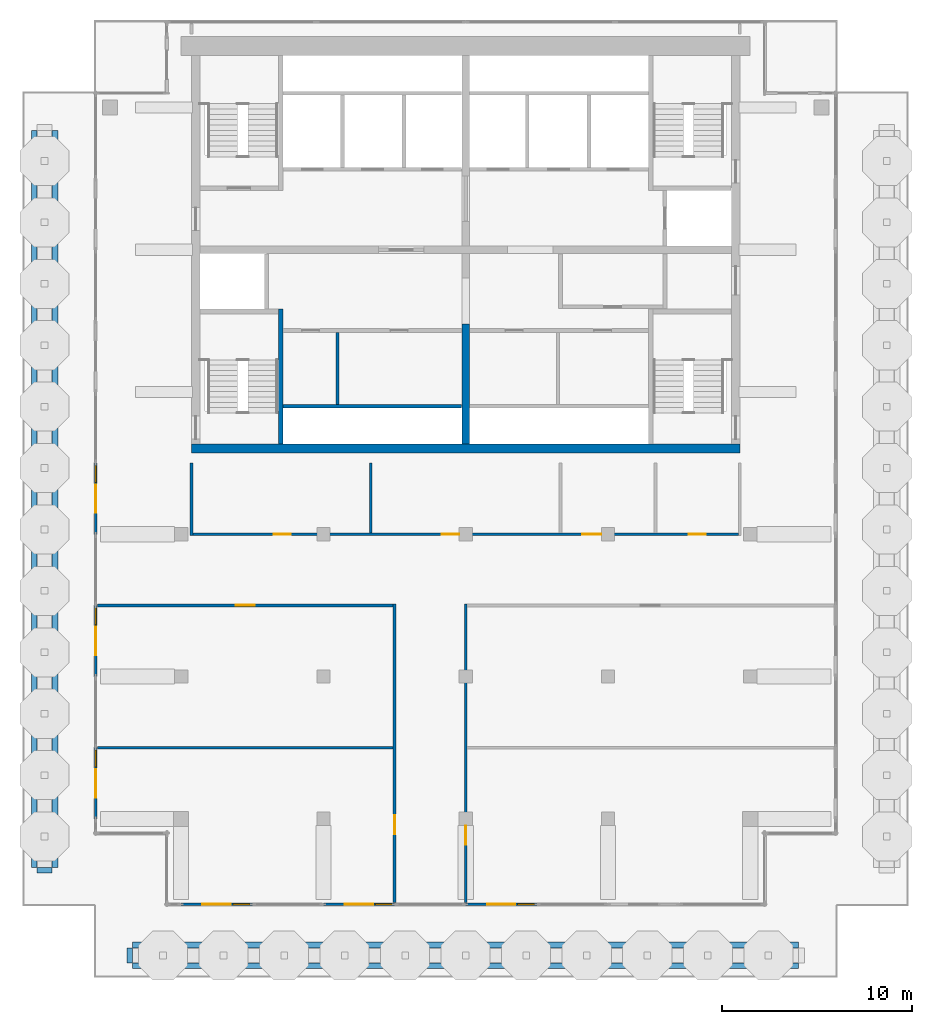
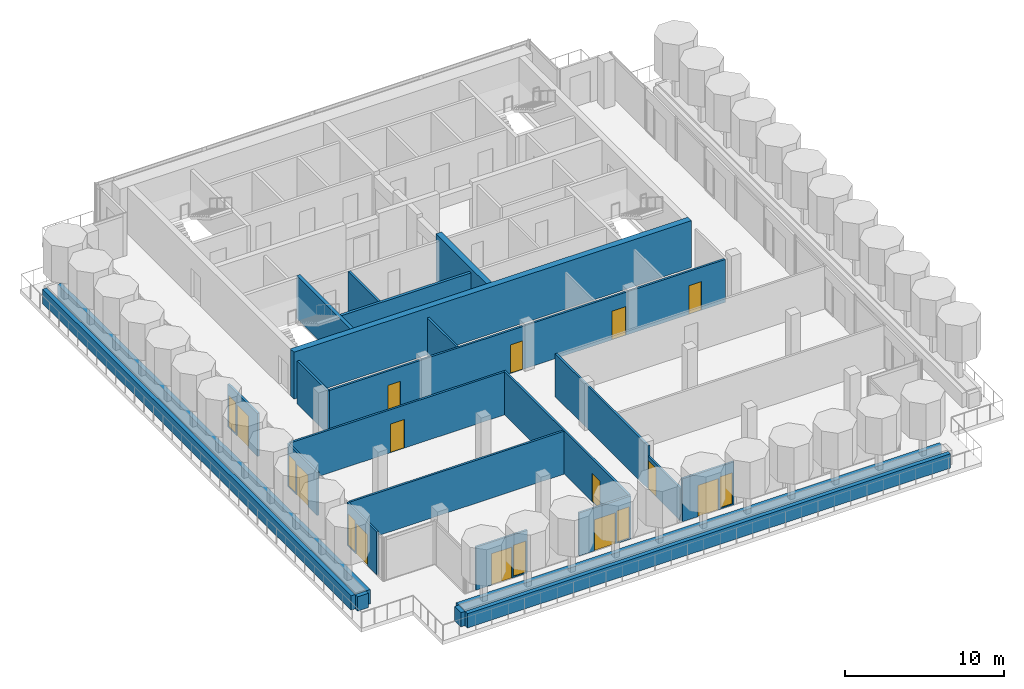
# One storey, part 8 of 15: 25 walls, 13 doors, 6 windows, 19 openings.
"""IFC4 building model written with IfcOpenShell, lengths in metres."""

from ifc_helpers import new_model, si_unit, direction, frame, frame_2d, origin, place, context, subcontext, project, spatial, rectangle, extrude, material, layer, layer_set, type_object, element, fill, save


model = new_model("IFC4")

# Units and contexts
model_context = context("Model", 3, precision=1e-05, world=origin(), true_north=direction((0.0, 1.0)))
body_context = subcontext(model_context, "Body", "Model", "MODEL_VIEW")
ifc_project = project(units=[si_unit("LENGTHUNIT", "METRE"), si_unit("AREAUNIT", "SQUARE_METRE"), si_unit("VOLUMEUNIT", "CUBIC_METRE"), si_unit("PLANEANGLEUNIT", "RADIAN"), si_unit("MASSUNIT", "GRAM", prefix="KILO")], contexts=[model_context])

# Site, building, storey
site_placement = place(None, origin())
site = spatial("IfcSite", under=ifc_project, at=site_placement, CompositionType="ELEMENT")
building_placement = place(site_placement, origin())
building = spatial("IfcBuilding", under=site, at=building_placement, Name="Pilkhan Gate Tower", CompositionType="ELEMENT")
storey_placement = place(building_placement, frame((0.0, 0.0, 265.699951171875)))
storey = spatial("IfcBuildingStorey", under=building, at=storey_placement, Name="L69", CompositionType="ELEMENT", Elevation=265.699951171875)

# Wall
ifc_material_1 = material(Name="Concrete C50/60", Category="concrete")
ifc_layer_1 = layer(ifc_material_1, 0.449951171875)
ifc_layer_set_1 = layer_set([ifc_layer_1], Name="Core wall CW450 C50/60")
wall_type_1 = type_object("IfcWallType", Name="Core wall CW450 C50/60", PredefinedType="SHEAR", material=ifc_layer_set_1)
wall_1_placement = place(storey_placement, frame((60.550048828125, 72.02490234375, 0.0), z_axis=(0.0, 0.0, 1.0), x_axis=(1.0, 0.0, 0.0)))
element("IfcWall", 1, at=wall_1_placement, inside=storey, type_object=wall_type_1, Name="Core wall S L69", PredefinedType="SHEAR", context=body_context, shape_type="SweptSolid", body=[
    extrude(rectangle(XDim=28.89990234375, YDim=0.449951171875, at=frame_2d((14.449951171875, 0.0))), origin(), (0.0, 0.0, 1.0), 3.60009765625),
])

# Wall, openings, door, window
ifc_material_2 = material(Name="Pale anodised aluminium, clear laminated glazing", Category="aluminium")
ifc_layer_2 = layer(ifc_material_2, 0.14990234375)
ifc_layer_set_2 = layer_set([ifc_layer_2], Name="Facade infill wall IW150")
wall_type_2 = type_object("IfcWallType", Name="Facade infill wall IW150", PredefinedType="SOLIDWALL", material=ifc_layer_set_2)
wall_2_placement = place(storey_placement, frame((55.5, 52.5, 0.0), z_axis=(0.0, 0.0, 1.0), x_axis=(0.0, 1.0, 0.0)))
wall_2 = element("IfcWall", 2, at=wall_2_placement, inside=storey, type_object=wall_type_2, Name="Infill wall L69 W", PredefinedType="SOLIDWALL", context=body_context, shape_type="SweptSolid", body=[
    extrude(rectangle(XDim=3.75, YDim=0.14990234375, at=frame_2d((1.875, 0.0))), origin(), (0.0, 0.0, 1.0), 3.300048828125),
])
opening_1_placement = place(wall_2_placement, frame((1.125, 0.0, 0.0)))
opening_1 = element("IfcOpeningElement", 3, at=opening_1_placement, cuts=wall_2, Name="Opening D5", PredefinedType="OPENING", context=body_context, shape_type="SweptSolid", body=[
    extrude(rectangle(XDim=1.5, YDim=2.39990234375, at=frame_2d((0.75, 1.199951171875))), frame((0.0, 0.0849609375, 0.0), z_axis=(0.0, -1.0, 0.0), x_axis=(1.0, 0.0, 0.0)), (0.0, 0.0, 1.0), 0.169921875),
])
opening_2_placement = place(wall_2_placement, frame((2.737548828125, 0.0, 0.10009765625)))
opening_2 = element("IfcOpeningElement", 4, at=opening_2_placement, cuts=wall_2, Name="Opening W1", PredefinedType="OPENING", context=body_context, shape_type="SweptSolid", body=[
    extrude(rectangle(XDim=0.89990234375, YDim=2.39990234375, at=frame_2d((0.449951171875, 1.199951171875))), frame((0.0, 0.0849609375, 0.0), z_axis=(0.0, -1.0, 0.0), x_axis=(1.0, 0.0, 0.0)), (0.0, 0.0, 1.0), 0.169921875),
])
ifc_material_3 = material(Name="Pale anodised aluminium, clear glazing", Category="aluminium")
door_type_1 = type_object("IfcDoorType", Name="Terrace door D5 1500x2400", OperationType="DOUBLE_DOOR_SINGLE_SWING", PredefinedType="DOOR", material=ifc_material_3)
door_1_placement = place(opening_1_placement, origin())
door_1 = element("IfcDoor", 5, at=door_1_placement, inside=storey, type_object=door_type_1, Name="Terrace door L69", OperationType="DOUBLE_DOOR_SINGLE_SWING", OverallHeight=2.39990234375, OverallWidth=1.5, PredefinedType="DOOR", context=body_context, shape_type="SweptSolid", body=[
    extrude(rectangle(XDim=1.5, YDim=2.39990234375, at=frame_2d((0.75, 1.199951171875))), frame((0.0, 0.02490234375, 0.0), z_axis=(0.0, -1.0, 0.0), x_axis=(1.0, 0.0, 0.0)), (0.0, 0.0, 1.0), 0.050048828125),
])
fill(opening_1, door_1)
ifc_material_4 = material(Name="Pale anodised aluminium, clear double glazing", Category="aluminium")
window_type = type_object("IfcWindowType", Name="Window W1 900x2400", PartitioningType="SINGLE_PANEL", PredefinedType="WINDOW", material=ifc_material_4)
window_1_placement = place(opening_2_placement, origin())
window_1 = element("IfcWindow", 6, at=window_1_placement, inside=storey, type_object=window_type, Name="Window L69", OverallHeight=2.39990234375, OverallWidth=0.89990234375, PartitioningType="SINGLE_PANEL", PredefinedType="WINDOW", context=body_context, shape_type="SweptSolid", body=[
    extrude(rectangle(XDim=0.89990234375, YDim=2.39990234375, at=frame_2d((0.449951171875, 1.199951171875))), frame((0.0, 0.030029296875, 0.0), z_axis=(0.0, -1.0, 0.0), x_axis=(1.0, 0.0, 0.0)), (0.0, 0.0, 1.0), 0.06005859375),
])
fill(opening_2, window_1)

wall_3_placement = place(storey_placement, frame((55.5, 60.0, 0.0), z_axis=(0.0, 0.0, 1.0), x_axis=(0.0, 1.0, 0.0)))
wall_3 = element("IfcWall", 7, at=wall_3_placement, inside=storey, type_object=wall_type_2, Name="Infill wall L69 W", PredefinedType="SOLIDWALL", context=body_context, shape_type="SweptSolid", body=[
    extrude(rectangle(XDim=3.75, YDim=0.14990234375, at=frame_2d((1.875, 0.0))), origin(), (0.0, 0.0, 1.0), 3.300048828125),
])
opening_3_placement = place(wall_3_placement, frame((1.125, 0.0, 0.0)))
opening_3 = element("IfcOpeningElement", 8, at=opening_3_placement, cuts=wall_3, Name="Opening D5", PredefinedType="OPENING", context=body_context, shape_type="SweptSolid", body=[
    extrude(rectangle(XDim=1.5, YDim=2.39990234375, at=frame_2d((0.75, 1.199951171875))), frame((0.0, 0.0849609375, 0.0), z_axis=(0.0, -1.0, 0.0), x_axis=(1.0, 0.0, 0.0)), (0.0, 0.0, 1.0), 0.169921875),
])
opening_4_placement = place(wall_3_placement, frame((2.737548828125, 0.0, 0.10009765625)))
opening_4 = element("IfcOpeningElement", 9, at=opening_4_placement, cuts=wall_3, Name="Opening W1", PredefinedType="OPENING", context=body_context, shape_type="SweptSolid", body=[
    extrude(rectangle(XDim=0.89990234375, YDim=2.39990234375, at=frame_2d((0.449951171875, 1.199951171875))), frame((0.0, 0.0849609375, 0.0), z_axis=(0.0, -1.0, 0.0), x_axis=(1.0, 0.0, 0.0)), (0.0, 0.0, 1.0), 0.169921875),
])
door_2_placement = place(opening_3_placement, origin())
door_2 = element("IfcDoor", 10, at=door_2_placement, inside=storey, type_object=door_type_1, Name="Terrace door L69", OperationType="DOUBLE_DOOR_SINGLE_SWING", OverallHeight=2.39990234375, OverallWidth=1.5, PredefinedType="DOOR", context=body_context, shape_type="SweptSolid", body=[
    extrude(rectangle(XDim=1.5, YDim=2.39990234375, at=frame_2d((0.75, 1.199951171875))), frame((0.0, 0.02490234375, 0.0), z_axis=(0.0, -1.0, 0.0), x_axis=(1.0, 0.0, 0.0)), (0.0, 0.0, 1.0), 0.050048828125),
])
fill(opening_3, door_2)
window_2_placement = place(opening_4_placement, origin())
window_2 = element("IfcWindow", 11, at=window_2_placement, inside=storey, type_object=window_type, Name="Window L69", OverallHeight=2.39990234375, OverallWidth=0.89990234375, PartitioningType="SINGLE_PANEL", PredefinedType="WINDOW", context=body_context, shape_type="SweptSolid", body=[
    extrude(rectangle(XDim=0.89990234375, YDim=2.39990234375, at=frame_2d((0.449951171875, 1.199951171875))), frame((0.0, 0.030029296875, 0.0), z_axis=(0.0, -1.0, 0.0), x_axis=(1.0, 0.0, 0.0)), (0.0, 0.0, 1.0), 0.06005859375),
])
fill(opening_4, window_2)

wall_4_placement = place(storey_placement, frame((55.5, 67.5, 0.0), z_axis=(0.0, 0.0, 1.0), x_axis=(0.0, 1.0, 0.0)))
wall_4 = element("IfcWall", 12, at=wall_4_placement, inside=storey, type_object=wall_type_2, Name="Infill wall L69 W", PredefinedType="SOLIDWALL", context=body_context, shape_type="SweptSolid", body=[
    extrude(rectangle(XDim=3.75, YDim=0.14990234375, at=frame_2d((1.875, 0.0))), origin(), (0.0, 0.0, 1.0), 3.300048828125),
])
opening_5_placement = place(wall_4_placement, frame((1.125, 0.0, 0.0)))
opening_5 = element("IfcOpeningElement", 13, at=opening_5_placement, cuts=wall_4, Name="Opening D5", PredefinedType="OPENING", context=body_context, shape_type="SweptSolid", body=[
    extrude(rectangle(XDim=1.5, YDim=2.39990234375, at=frame_2d((0.75, 1.199951171875))), frame((0.0, 0.0849609375, 0.0), z_axis=(0.0, -1.0, 0.0), x_axis=(1.0, 0.0, 0.0)), (0.0, 0.0, 1.0), 0.169921875),
])
opening_6_placement = place(wall_4_placement, frame((2.737548828125, 0.0, 0.10009765625)))
opening_6 = element("IfcOpeningElement", 14, at=opening_6_placement, cuts=wall_4, Name="Opening W1", PredefinedType="OPENING", context=body_context, shape_type="SweptSolid", body=[
    extrude(rectangle(XDim=0.89990234375, YDim=2.39990234375, at=frame_2d((0.449951171875, 1.199951171875))), frame((0.0, 0.0849609375, 0.0), z_axis=(0.0, -1.0, 0.0), x_axis=(1.0, 0.0, 0.0)), (0.0, 0.0, 1.0), 0.169921875),
])
door_3_placement = place(opening_5_placement, origin())
door_3 = element("IfcDoor", 15, at=door_3_placement, inside=storey, type_object=door_type_1, Name="Terrace door L69", OperationType="DOUBLE_DOOR_SINGLE_SWING", OverallHeight=2.39990234375, OverallWidth=1.5, PredefinedType="DOOR", context=body_context, shape_type="SweptSolid", body=[
    extrude(rectangle(XDim=1.5, YDim=2.39990234375, at=frame_2d((0.75, 1.199951171875))), frame((0.0, 0.02490234375, 0.0), z_axis=(0.0, -1.0, 0.0), x_axis=(1.0, 0.0, 0.0)), (0.0, 0.0, 1.0), 0.050048828125),
])
fill(opening_5, door_3)
window_3_placement = place(opening_6_placement, origin())
window_3 = element("IfcWindow", 16, at=window_3_placement, inside=storey, type_object=window_type, Name="Window L69", OverallHeight=2.39990234375, OverallWidth=0.89990234375, PartitioningType="SINGLE_PANEL", PredefinedType="WINDOW", context=body_context, shape_type="SweptSolid", body=[
    extrude(rectangle(XDim=0.89990234375, YDim=2.39990234375, at=frame_2d((0.449951171875, 1.199951171875))), frame((0.0, 0.030029296875, 0.0), z_axis=(0.0, -1.0, 0.0), x_axis=(1.0, 0.0, 0.0)), (0.0, 0.0, 1.0), 0.06005859375),
])
fill(opening_6, window_3)

wall_5_placement = place(storey_placement, frame((63.75, 48.0, 0.0), z_axis=(0.0, 0.0, 1.0), x_axis=(-1.0, 0.0, 0.0)))
wall_5 = element("IfcWall", 17, at=wall_5_placement, inside=storey, type_object=wall_type_2, Name="Infill wall L69 S", PredefinedType="SOLIDWALL", context=body_context, shape_type="SweptSolid", body=[
    extrude(rectangle(XDim=3.75, YDim=0.14990234375, at=frame_2d((1.875, 0.0))), origin(), (0.0, 0.0, 1.0), 3.300048828125),
])
opening_7_placement = place(wall_5_placement, frame((0.112548828125, 0.0, 0.10009765625)))
opening_7 = element("IfcOpeningElement", 18, at=opening_7_placement, cuts=wall_5, Name="Opening W1", PredefinedType="OPENING", context=body_context, shape_type="SweptSolid", body=[
    extrude(rectangle(XDim=0.89990234375, YDim=2.39990234375, at=frame_2d((0.449951171875, 1.199951171875))), frame((0.0, 0.0849609375, 0.0), z_axis=(0.0, -1.0, 0.0), x_axis=(1.0, 0.0, 0.0)), (0.0, 0.0, 1.0), 0.169921875),
])
opening_8_placement = place(wall_5_placement, frame((1.125, 0.0, 0.0)))
opening_8 = element("IfcOpeningElement", 19, at=opening_8_placement, cuts=wall_5, Name="Opening D5", PredefinedType="OPENING", context=body_context, shape_type="SweptSolid", body=[
    extrude(rectangle(XDim=1.5, YDim=2.39990234375, at=frame_2d((0.75, 1.199951171875))), frame((0.0, 0.0849609375, 0.0), z_axis=(0.0, -1.0, 0.0), x_axis=(1.0, 0.0, 0.0)), (0.0, 0.0, 1.0), 0.169921875),
])
door_4_placement = place(opening_8_placement, origin())
door_4 = element("IfcDoor", 20, at=door_4_placement, inside=storey, type_object=door_type_1, Name="Terrace door L69", OperationType="DOUBLE_DOOR_SINGLE_SWING", OverallHeight=2.39990234375, OverallWidth=1.5, PredefinedType="DOOR", context=body_context, shape_type="SweptSolid", body=[
    extrude(rectangle(XDim=1.5, YDim=2.39990234375, at=frame_2d((0.75, 1.199951171875))), frame((0.0, 0.02490234375, 0.0), z_axis=(0.0, -1.0, 0.0), x_axis=(1.0, 0.0, 0.0)), (0.0, 0.0, 1.0), 0.050048828125),
])
fill(opening_8, door_4)
window_4_placement = place(opening_7_placement, origin())
window_4 = element("IfcWindow", 21, at=window_4_placement, inside=storey, type_object=window_type, Name="Window L69", OverallHeight=2.39990234375, OverallWidth=0.89990234375, PartitioningType="SINGLE_PANEL", PredefinedType="WINDOW", context=body_context, shape_type="SweptSolid", body=[
    extrude(rectangle(XDim=0.89990234375, YDim=2.39990234375, at=frame_2d((0.449951171875, 1.199951171875))), frame((0.0, 0.030029296875, 0.0), z_axis=(0.0, -1.0, 0.0), x_axis=(1.0, 0.0, 0.0)), (0.0, 0.0, 1.0), 0.06005859375),
])
fill(opening_7, window_4)

wall_6_placement = place(storey_placement, frame((71.25, 48.0, 0.0), z_axis=(0.0, 0.0, 1.0), x_axis=(-1.0, 0.0, 0.0)))
wall_6 = element("IfcWall", 22, at=wall_6_placement, inside=storey, type_object=wall_type_2, Name="Infill wall L69 S", PredefinedType="SOLIDWALL", context=body_context, shape_type="SweptSolid", body=[
    extrude(rectangle(XDim=3.75, YDim=0.14990234375, at=frame_2d((1.875, 0.0))), origin(), (0.0, 0.0, 1.0), 3.300048828125),
])
opening_9_placement = place(wall_6_placement, frame((0.112548828125, 0.0, 0.10009765625)))
opening_9 = element("IfcOpeningElement", 23, at=opening_9_placement, cuts=wall_6, Name="Opening W1", PredefinedType="OPENING", context=body_context, shape_type="SweptSolid", body=[
    extrude(rectangle(XDim=0.89990234375, YDim=2.39990234375, at=frame_2d((0.449951171875, 1.199951171875))), frame((0.0, 0.0849609375, 0.0), z_axis=(0.0, -1.0, 0.0), x_axis=(1.0, 0.0, 0.0)), (0.0, 0.0, 1.0), 0.169921875),
])
opening_10_placement = place(wall_6_placement, frame((1.125, 0.0, 0.0)))
opening_10 = element("IfcOpeningElement", 24, at=opening_10_placement, cuts=wall_6, Name="Opening D5", PredefinedType="OPENING", context=body_context, shape_type="SweptSolid", body=[
    extrude(rectangle(XDim=1.5, YDim=2.39990234375, at=frame_2d((0.75, 1.199951171875))), frame((0.0, 0.0849609375, 0.0), z_axis=(0.0, -1.0, 0.0), x_axis=(1.0, 0.0, 0.0)), (0.0, 0.0, 1.0), 0.169921875),
])
door_5_placement = place(opening_10_placement, origin())
door_5 = element("IfcDoor", 25, at=door_5_placement, inside=storey, type_object=door_type_1, Name="Terrace door L69", OperationType="DOUBLE_DOOR_SINGLE_SWING", OverallHeight=2.39990234375, OverallWidth=1.5, PredefinedType="DOOR", context=body_context, shape_type="SweptSolid", body=[
    extrude(rectangle(XDim=1.5, YDim=2.39990234375, at=frame_2d((0.75, 1.199951171875))), frame((0.0, 0.02490234375, 0.0), z_axis=(0.0, -1.0, 0.0), x_axis=(1.0, 0.0, 0.0)), (0.0, 0.0, 1.0), 0.050048828125),
])
fill(opening_10, door_5)
window_5_placement = place(opening_9_placement, origin())
window_5 = element("IfcWindow", 26, at=window_5_placement, inside=storey, type_object=window_type, Name="Window L69", OverallHeight=2.39990234375, OverallWidth=0.89990234375, PartitioningType="SINGLE_PANEL", PredefinedType="WINDOW", context=body_context, shape_type="SweptSolid", body=[
    extrude(rectangle(XDim=0.89990234375, YDim=2.39990234375, at=frame_2d((0.449951171875, 1.199951171875))), frame((0.0, 0.030029296875, 0.0), z_axis=(0.0, -1.0, 0.0), x_axis=(1.0, 0.0, 0.0)), (0.0, 0.0, 1.0), 0.06005859375),
])
fill(opening_9, window_5)

wall_7_placement = place(storey_placement, frame((78.75, 48.0, 0.0), z_axis=(0.0, 0.0, 1.0), x_axis=(-1.0, 0.0, 0.0)))
wall_7 = element("IfcWall", 27, at=wall_7_placement, inside=storey, type_object=wall_type_2, Name="Infill wall L69 S", PredefinedType="SOLIDWALL", context=body_context, shape_type="SweptSolid", body=[
    extrude(rectangle(XDim=3.75, YDim=0.14990234375, at=frame_2d((1.875, 0.0))), origin(), (0.0, 0.0, 1.0), 3.300048828125),
])
opening_11_placement = place(wall_7_placement, frame((0.112548828125, 0.0, 0.10009765625)))
opening_11 = element("IfcOpeningElement", 28, at=opening_11_placement, cuts=wall_7, Name="Opening W1", PredefinedType="OPENING", context=body_context, shape_type="SweptSolid", body=[
    extrude(rectangle(XDim=0.89990234375, YDim=2.39990234375, at=frame_2d((0.449951171875, 1.199951171875))), frame((0.0, 0.0849609375, 0.0), z_axis=(0.0, -1.0, 0.0), x_axis=(1.0, 0.0, 0.0)), (0.0, 0.0, 1.0), 0.169921875),
])
opening_12_placement = place(wall_7_placement, frame((1.125, 0.0, 0.0)))
opening_12 = element("IfcOpeningElement", 29, at=opening_12_placement, cuts=wall_7, Name="Opening D5", PredefinedType="OPENING", context=body_context, shape_type="SweptSolid", body=[
    extrude(rectangle(XDim=1.5, YDim=2.39990234375, at=frame_2d((0.75, 1.199951171875))), frame((0.0, 0.0849609375, 0.0), z_axis=(0.0, -1.0, 0.0), x_axis=(1.0, 0.0, 0.0)), (0.0, 0.0, 1.0), 0.169921875),
])
door_6_placement = place(opening_12_placement, origin())
door_6 = element("IfcDoor", 30, at=door_6_placement, inside=storey, type_object=door_type_1, Name="Terrace door L69", OperationType="DOUBLE_DOOR_SINGLE_SWING", OverallHeight=2.39990234375, OverallWidth=1.5, PredefinedType="DOOR", context=body_context, shape_type="SweptSolid", body=[
    extrude(rectangle(XDim=1.5, YDim=2.39990234375, at=frame_2d((0.75, 1.199951171875))), frame((0.0, 0.02490234375, 0.0), z_axis=(0.0, -1.0, 0.0), x_axis=(1.0, 0.0, 0.0)), (0.0, 0.0, 1.0), 0.050048828125),
])
fill(opening_12, door_6)
window_6_placement = place(opening_11_placement, origin())
window_6 = element("IfcWindow", 31, at=window_6_placement, inside=storey, type_object=window_type, Name="Window L69", OverallHeight=2.39990234375, OverallWidth=0.89990234375, PartitioningType="SINGLE_PANEL", PredefinedType="WINDOW", context=body_context, shape_type="SweptSolid", body=[
    extrude(rectangle(XDim=0.89990234375, YDim=2.39990234375, at=frame_2d((0.449951171875, 1.199951171875))), frame((0.0, 0.030029296875, 0.0), z_axis=(0.0, -1.0, 0.0), x_axis=(1.0, 0.0, 0.0)), (0.0, 0.0, 1.0), 0.06005859375),
])
fill(opening_11, window_6)

# Walls
ifc_material_5 = material(Name="Dense blockwork", Category="masonry")
ifc_layer_3 = layer(ifc_material_5, 0.199951171875)
ifc_layer_set_3 = layer_set([ifc_layer_3], Name="Lobby wall LW200")
wall_type_3 = type_object("IfcWallType", Name="Lobby wall LW200", PredefinedType="PARTITIONING", material=ifc_layer_set_3)
wall_8_placement = place(storey_placement, frame((65.375, 74.25, 0.0), z_axis=(0.0, 0.0, 1.0), x_axis=(1.0, 0.0, 0.0)))
element("IfcWall", 32, at=wall_8_placement, inside=storey, type_object=wall_type_3, Name="Partition L69", PredefinedType="PARTITIONING", context=body_context, shape_type="SweptSolid", body=[
    extrude(rectangle(XDim=9.4150390625, YDim=0.199951171875, at=frame_2d((4.70751953125, 0.0))), origin(), (0.0, 0.0, 1.0), 3.300048828125),
])
ifc_material_6 = material(Name="Blockwork partition, plastered both sides", Category="masonry")
ifc_layer_4 = layer(ifc_material_6, 0.14990234375)
ifc_layer_set_4 = layer_set([ifc_layer_4], Name="Partition PW150")
wall_type_4 = type_object("IfcWallType", Name="Partition PW150", PredefinedType="PARTITIONING", material=ifc_layer_set_4)
wall_9_placement = place(storey_placement, frame((55.5849609375, 56.25, 0.0), z_axis=(0.0, 0.0, 1.0), x_axis=(1.0, 0.0, 0.0)))
element("IfcWall", 33, at=wall_9_placement, inside=storey, type_object=wall_type_4, Name="Partition L69", PredefinedType="PARTITIONING", context=body_context, shape_type="SweptSolid", body=[
    extrude(rectangle(XDim=15.590087890625, YDim=0.14990234375, at=frame_2d((7.794921875, 0.0))), origin(), (0.0, 0.0, 1.0), 3.300048828125),
])

# Wall, opening, door
wall_10_placement = place(storey_placement, frame((55.5849609375, 63.75, 0.0), z_axis=(0.0, 0.0, 1.0), x_axis=(1.0, 0.0, 0.0)))
wall_10 = element("IfcWall", 34, at=wall_10_placement, inside=storey, type_object=wall_type_4, Name="Partition L69", PredefinedType="PARTITIONING", context=body_context, shape_type="SweptSolid", body=[
    extrude(rectangle(XDim=15.590087890625, YDim=0.14990234375, at=frame_2d((7.794921875, 0.0))), origin(), (0.0, 0.0, 1.0), 3.300048828125),
])
opening_13_placement = place(wall_10_placement, frame((7.300048828125, 0.0, 0.0)))
opening_13 = element("IfcOpeningElement", 35, at=opening_13_placement, cuts=wall_10, Name="Opening L69-17", PredefinedType="OPENING", context=body_context, shape_type="SweptSolid", body=[
    extrude(rectangle(XDim=1.0, YDim=2.199951171875, at=frame_2d((0.5, 1.10009765625))), frame((0.0, 0.0849609375, 0.0), z_axis=(0.0, -1.0, 0.0), x_axis=(1.0, 0.0, 0.0)), (0.0, 0.0, 1.0), 0.169921875),
])
ifc_material_7 = material(Name="Timber flush door, 30 minute fire resisting", Category="wood")
door_type_2 = type_object("IfcDoorType", Name="Room door D03 1000x2200", OperationType="SINGLE_SWING_LEFT", PredefinedType="DOOR", material=ifc_material_7)
door_7_placement = place(opening_13_placement, origin())
door_7 = element("IfcDoor", 36, at=door_7_placement, inside=storey, type_object=door_type_2, Name="Room door", OperationType="SINGLE_SWING_LEFT", OverallHeight=2.199951171875, OverallWidth=1.0, PredefinedType="DOOR", context=body_context, shape_type="SweptSolid", body=[
    extrude(rectangle(XDim=1.0, YDim=2.199951171875, at=frame_2d((0.5, 1.10009765625))), frame((0.0, 0.02490234375, 0.0), z_axis=(0.0, -1.0, 0.0), x_axis=(1.0, 0.0, 0.0)), (0.0, 0.0, 1.0), 0.050048828125),
])
fill(opening_13, door_7)

# Wall, openings, doors
wall_11_placement = place(storey_placement, frame((60.625, 67.5, 0.0), z_axis=(0.0, 0.0, 1.0), x_axis=(1.0, 0.0, 0.0)))
wall_11 = element("IfcWall", 37, at=wall_11_placement, inside=storey, type_object=wall_type_4, Name="Partition L69", PredefinedType="PARTITIONING", context=body_context, shape_type="SweptSolid", body=[
    extrude(rectangle(XDim=28.75, YDim=0.14990234375, at=frame_2d((14.375, 0.0))), origin(), (0.0, 0.0, 1.0), 3.300048828125),
])
opening_14_placement = place(wall_11_placement, frame((4.25, 0.0, 0.0)))
opening_14 = element("IfcOpeningElement", 38, at=opening_14_placement, cuts=wall_11, Name="Opening L69-13", PredefinedType="OPENING", context=body_context, shape_type="SweptSolid", body=[
    extrude(rectangle(XDim=0.89990234375, YDim=2.199951171875, at=frame_2d((0.449951171875, 1.10009765625))), frame((0.0, 0.0849609375, 0.0), z_axis=(0.0, -1.0, 0.0), x_axis=(1.0, 0.0, 0.0)), (0.0, 0.0, 1.0), 0.169921875),
])
opening_15_placement = place(wall_11_placement, frame((13.125, 0.0, 0.0)))
opening_15 = element("IfcOpeningElement", 39, at=opening_15_placement, cuts=wall_11, Name="Opening L69-14", PredefinedType="OPENING", context=body_context, shape_type="SweptSolid", body=[
    extrude(rectangle(XDim=0.89990234375, YDim=2.199951171875, at=frame_2d((0.449951171875, 1.10009765625))), frame((0.0, 0.0849609375, 0.0), z_axis=(0.0, -1.0, 0.0), x_axis=(1.0, 0.0, 0.0)), (0.0, 0.0, 1.0), 0.169921875),
])
opening_16_placement = place(wall_11_placement, frame((20.52490234375, 0.0, 0.0)))
opening_16 = element("IfcOpeningElement", 40, at=opening_16_placement, cuts=wall_11, Name="Opening L69-15", PredefinedType="OPENING", context=body_context, shape_type="SweptSolid", body=[
    extrude(rectangle(XDim=1.0, YDim=2.199951171875, at=frame_2d((0.5, 1.10009765625))), frame((0.0, 0.0849609375, 0.0), z_axis=(0.0, -1.0, 0.0), x_axis=(1.0, 0.0, 0.0)), (0.0, 0.0, 1.0), 0.169921875),
])
opening_17_placement = place(wall_11_placement, frame((26.125, 0.0, 0.0)))
opening_17 = element("IfcOpeningElement", 41, at=opening_17_placement, cuts=wall_11, Name="Opening L69-16", PredefinedType="OPENING", context=body_context, shape_type="SweptSolid", body=[
    extrude(rectangle(XDim=0.89990234375, YDim=2.199951171875, at=frame_2d((0.449951171875, 1.10009765625))), frame((0.0, 0.0849609375, 0.0), z_axis=(0.0, -1.0, 0.0), x_axis=(1.0, 0.0, 0.0)), (0.0, 0.0, 1.0), 0.169921875),
])
ifc_material_8 = material(Name="Timber flush door, outward opening, 30 minute fire resisting", Category="wood")
door_type_3 = type_object("IfcDoorType", Name="Accessible toilet door D07 1000x2200", OperationType="SINGLE_SWING_LEFT", PredefinedType="DOOR", material=ifc_material_8)
door_8_placement = place(opening_16_placement, origin())
door_8 = element("IfcDoor", 42, at=door_8_placement, inside=storey, type_object=door_type_3, Name="Accessible toilet door", OperationType="SINGLE_SWING_LEFT", OverallHeight=2.199951171875, OverallWidth=1.0, PredefinedType="DOOR", context=body_context, shape_type="SweptSolid", body=[
    extrude(rectangle(XDim=1.0, YDim=2.199951171875, at=frame_2d((0.5, 1.10009765625))), frame((0.0, 0.02490234375, 0.0), z_axis=(0.0, -1.0, 0.0), x_axis=(1.0, 0.0, 0.0)), (0.0, 0.0, 1.0), 0.050048828125),
])
fill(opening_16, door_8)
ifc_material_9 = material(Name="Timber flush door, 60 minute fire resisting, self-closing", Category="wood")
door_type_4 = type_object("IfcDoorType", Name="Store door D05 900x2200", OperationType="SINGLE_SWING_LEFT", PredefinedType="DOOR", material=ifc_material_9)
door_9_placement = place(opening_17_placement, origin())
door_9 = element("IfcDoor", 43, at=door_9_placement, inside=storey, type_object=door_type_4, Name="Store door", OperationType="SINGLE_SWING_LEFT", OverallHeight=2.199951171875, OverallWidth=0.89990234375, PredefinedType="DOOR", context=body_context, shape_type="SweptSolid", body=[
    extrude(rectangle(XDim=0.89990234375, YDim=2.199951171875, at=frame_2d((0.449951171875, 1.10009765625))), frame((0.0, 0.02490234375, 0.0), z_axis=(0.0, -1.0, 0.0), x_axis=(1.0, 0.0, 0.0)), (0.0, 0.0, 1.0), 0.050048828125),
])
fill(opening_17, door_9)
door_type_5 = type_object("IfcDoorType", Name="Toilet door D06 900x2200", OperationType="SINGLE_SWING_LEFT", PredefinedType="DOOR", material=ifc_material_7)
door_10_placement = place(opening_14_placement, origin())
door_10 = element("IfcDoor", 44, at=door_10_placement, inside=storey, type_object=door_type_5, Name="Toilet door", OperationType="SINGLE_SWING_LEFT", OverallHeight=2.199951171875, OverallWidth=0.89990234375, PredefinedType="DOOR", context=body_context, shape_type="SweptSolid", body=[
    extrude(rectangle(XDim=0.89990234375, YDim=2.199951171875, at=frame_2d((0.449951171875, 1.10009765625))), frame((0.0, 0.02490234375, 0.0), z_axis=(0.0, -1.0, 0.0), x_axis=(1.0, 0.0, 0.0)), (0.0, 0.0, 1.0), 0.050048828125),
])
fill(opening_14, door_10)
door_11_placement = place(opening_15_placement, origin())
door_11 = element("IfcDoor", 45, at=door_11_placement, inside=storey, type_object=door_type_5, Name="Toilet door", OperationType="SINGLE_SWING_LEFT", OverallHeight=2.199951171875, OverallWidth=0.89990234375, PredefinedType="DOOR", context=body_context, shape_type="SweptSolid", body=[
    extrude(rectangle(XDim=0.89990234375, YDim=2.199951171875, at=frame_2d((0.449951171875, 1.10009765625))), frame((0.0, 0.02490234375, 0.0), z_axis=(0.0, -1.0, 0.0), x_axis=(1.0, 0.0, 0.0)), (0.0, 0.0, 1.0), 0.050048828125),
])
fill(opening_15, door_11)

# Walls
wall_12_placement = place(storey_placement, frame((60.550048828125, 67.425048828125, 0.0), z_axis=(0.0, 0.0, 1.0), x_axis=(0.0, 1.0, 0.0)))
element("IfcWall", 46, at=wall_12_placement, inside=storey, type_object=wall_type_4, Name="Partition L69", PredefinedType="PARTITIONING", context=body_context, shape_type="SweptSolid", body=[
    extrude(rectangle(XDim=3.824951171875, YDim=0.14990234375, at=frame_2d((1.91259765625, 0.0))), origin(), (0.0, 0.0, 1.0), 3.300048828125),
])
wall_13_placement = place(storey_placement, frame((68.239990234375, 74.35009765625, 0.0), z_axis=(0.0, 0.0, 1.0), x_axis=(0.0, 1.0, 0.0)))
element("IfcWall", 47, at=wall_13_placement, inside=storey, type_object=wall_type_4, Name="Partition L69", PredefinedType="PARTITIONING", context=body_context, shape_type="SweptSolid", body=[
    extrude(rectangle(XDim=3.7998046875, YDim=0.14990234375, at=frame_2d((1.89990234375, 0.0))), origin(), (0.0, 0.0, 1.0), 3.300048828125),
])
wall_14_placement = place(storey_placement, frame((70.0, 67.574951171875, 0.0), z_axis=(0.0, 0.0, 1.0), x_axis=(0.0, 1.0, 0.0)))
element("IfcWall", 48, at=wall_14_placement, inside=storey, type_object=wall_type_4, Name="Partition L69", PredefinedType="PARTITIONING", context=body_context, shape_type="SweptSolid", body=[
    extrude(rectangle(XDim=3.675048828125, YDim=0.14990234375, at=frame_2d((1.83740234375, 0.0))), origin(), (0.0, 0.0, 1.0), 3.300048828125),
])

# Wall, opening, door
wall_15_placement = place(storey_placement, frame((71.25, 48.0849609375, 0.0), z_axis=(0.0, 0.0, 1.0), x_axis=(0.0, 1.0, 0.0)))
wall_15 = element("IfcWall", 49, at=wall_15_placement, inside=storey, type_object=wall_type_4, Name="Partition L69", PredefinedType="PARTITIONING", context=body_context, shape_type="SweptSolid", body=[
    extrude(rectangle(XDim=15.739990234375, YDim=0.14990234375, at=frame_2d((7.8701171875, 0.0))), origin(), (0.0, 0.0, 1.0), 3.300048828125),
])
opening_18_placement = place(wall_15_placement, frame((3.60009765625, 0.0, 0.0)))
opening_18 = element("IfcOpeningElement", 50, at=opening_18_placement, cuts=wall_15, Name="Opening L69-18", PredefinedType="OPENING", context=body_context, shape_type="SweptSolid", body=[
    extrude(rectangle(XDim=1.0, YDim=2.199951171875, at=frame_2d((0.5, 1.10009765625))), frame((0.0, 0.0849609375, 0.0), z_axis=(0.0, -1.0, 0.0), x_axis=(1.0, 0.0, 0.0)), (0.0, 0.0, 1.0), 0.169921875),
])
door_12_placement = place(opening_18_placement, origin())
door_12 = element("IfcDoor", 51, at=door_12_placement, inside=storey, type_object=door_type_2, Name="Room door", OperationType="SINGLE_SWING_LEFT", OverallHeight=2.199951171875, OverallWidth=1.0, PredefinedType="DOOR", context=body_context, shape_type="SweptSolid", body=[
    extrude(rectangle(XDim=1.0, YDim=2.199951171875, at=frame_2d((0.5, 1.10009765625))), frame((0.0, 0.02490234375, 0.0), z_axis=(0.0, -1.0, 0.0), x_axis=(1.0, 0.0, 0.0)), (0.0, 0.0, 1.0), 0.050048828125),
])
fill(opening_18, door_12)

wall_16_placement = place(storey_placement, frame((75.0, 48.0849609375, 0.0), z_axis=(0.0, 0.0, 1.0), x_axis=(0.0, 1.0, 0.0)))
wall_16 = element("IfcWall", 52, at=wall_16_placement, inside=storey, type_object=wall_type_4, Name="Partition L69", PredefinedType="PARTITIONING", context=body_context, shape_type="SweptSolid", body=[
    extrude(rectangle(XDim=4.06494140625, YDim=0.14990234375, at=frame_2d((2.032470703125, 0.0))), origin(), (0.0, 0.0, 1.0), 2.5),
])
opening_19_placement = place(wall_16_placement, frame((3.050048828125, 0.0, 0.0)))
opening_19 = element("IfcOpeningElement", 53, at=opening_19_placement, cuts=wall_16, Name="Opening L69-20", PredefinedType="OPENING", context=body_context, shape_type="SweptSolid", body=[
    extrude(rectangle(XDim=1.0, YDim=2.199951171875, at=frame_2d((0.5, 1.10009765625))), frame((0.0, 0.0849609375, 0.0), z_axis=(0.0, -1.0, 0.0), x_axis=(1.0, 0.0, 0.0)), (0.0, 0.0, 1.0), 0.169921875),
])
door_13_placement = place(opening_19_placement, origin())
door_13 = element("IfcDoor", 54, at=door_13_placement, inside=storey, type_object=door_type_2, Name="Room door", OperationType="SINGLE_SWING_LEFT", OverallHeight=2.199951171875, OverallWidth=1.0, PredefinedType="DOOR", context=body_context, shape_type="SweptSolid", body=[
    extrude(rectangle(XDim=1.0, YDim=2.199951171875, at=frame_2d((0.5, 1.10009765625))), frame((0.0, 0.02490234375, 0.0), z_axis=(0.0, -1.0, 0.0), x_axis=(1.0, 0.0, 0.0)), (0.0, 0.0, 1.0), 0.050048828125),
])
fill(opening_19, door_13)

# Walls
wall_17_placement = place(storey_placement, frame((75.0, 52.14990234375, 0.0), z_axis=(0.0, 0.0, 1.0), x_axis=(0.0, 1.0, 0.0)))
element("IfcWall", 55, at=wall_17_placement, inside=storey, type_object=wall_type_4, Name="Partition L69", PredefinedType="PARTITIONING", context=body_context, shape_type="SweptSolid", body=[
    extrude(rectangle(XDim=11.675048828125, YDim=0.14990234375, at=frame_2d((5.83740234375, 0.0))), origin(), (0.0, 0.0, 1.0), 3.300048828125),
])
ifc_layer_5 = layer(ifc_material_1, 0.39990234375)
ifc_layer_set_5 = layer_set([ifc_layer_5], Name="Spine wall SW400 C50/60")
wall_type_5 = type_object("IfcWallType", Name="Spine wall SW400 C50/60", PredefinedType="SHEAR", material=ifc_layer_set_5)
wall_18_placement = place(storey_placement, frame((75.0, 72.25, 0.0), z_axis=(0.0, 0.0, 1.0), x_axis=(0.0, 1.0, 0.0)))
element("IfcWall", 56, at=wall_18_placement, inside=storey, type_object=wall_type_5, Name="Spine wall SP-NS-S1 L69", PredefinedType="SHEAR", context=body_context, shape_type="SweptSolid", body=[
    extrude(rectangle(XDim=6.35009765625, YDim=0.39990234375, at=frame_2d((3.175048828125, 0.0))), origin(), (0.0, 0.0, 1.0), 3.60009765625),
])
ifc_material_10 = material(Name="Reinforced blockwork, 120 minute fire resisting", Category="masonry")
ifc_layer_6 = layer(ifc_material_10, 0.25)
ifc_layer_set_6 = layer_set([ifc_layer_6], Name="Stair enclosure wall SE250")
wall_type_6 = type_object("IfcWallType", Name="Stair enclosure wall SE250", PredefinedType="PARTITIONING", material=ifc_layer_set_6)
wall_19_placement = place(storey_placement, frame((65.25, 72.260009765625, 0.0), z_axis=(0.0, 0.0, 1.0), x_axis=(0.0, 1.0, 0.0)))
element("IfcWall", 57, at=wall_19_placement, inside=storey, type_object=wall_type_6, Name="Partition L69", PredefinedType="PARTITIONING", context=body_context, shape_type="SweptSolid", body=[
    extrude(rectangle(XDim=7.114990234375, YDim=0.25, at=frame_2d((3.5576171875, 0.0))), origin(), (0.0, 0.0, 1.0), 3.300048828125),
])
ifc_material_11 = material(Name="Concrete C40/50", Category="concrete")
ifc_layer_7 = layer(ifc_material_11, 0.300048828125)
ifc_layer_set_7 = layer_set([ifc_layer_7], Name="Terrace planter TP800")
wall_type_7 = type_object("IfcWallType", Name="Terrace planter TP800", PredefinedType="USERDEFINED", material=ifc_layer_set_7)
for number, where, z_axis, x_axis, name in (
    (58, (92.550048828125, 44.75, 0.0), (0.0, 0.0, 1.0), (-1.0, 0.0, 0.0), "Terrace planter L69"),
    (59, (92.550048828125, 45.85009765625, 0.0), (0.0, 0.0, 1.0), (-1.0, 0.0, 0.0), "Terrace planter L69"),
):
    element("IfcWall", number, at=place(storey_placement, frame(where, z_axis=z_axis, x_axis=x_axis)), inside=storey, type_object=wall_type_7, Name=name, ObjectType="TERRACE PLANTER", PredefinedType="USERDEFINED", context=body_context, shape_type="SweptSolid", body=[
        extrude(rectangle(XDim=35.10009765625, YDim=0.300048828125, at=frame_2d((17.550048828125, 0.0))), origin(), (0.0, 0.0, 1.0), 1.10009765625),
    ])
wall_20_placement = place(storey_placement, frame((57.300048828125, 45.699951171875, 0.0), z_axis=(0.0, 0.0, 1.0), x_axis=(0.0, -1.0, 0.0)))
element("IfcWall", 60, at=wall_20_placement, inside=storey, type_object=wall_type_7, Name="Terrace planter L69", ObjectType="TERRACE PLANTER", PredefinedType="USERDEFINED", context=body_context, shape_type="SweptSolid", body=[
    extrude(rectangle(XDim=0.800048828125, YDim=0.300048828125, at=frame_2d((0.39990234375, 0.0))), origin(), (0.0, 0.0, 1.0), 1.10009765625),
])
for number, where, z_axis, x_axis, name in (
    (61, (52.25, 49.949951171875, 0.0), (0.0, 0.0, 1.0), (0.0, 1.0, 0.0), "Terrace planter L69"),
    (62, (53.35009765625, 49.949951171875, 0.0), (0.0, 0.0, 1.0), (0.0, 1.0, 0.0), "Terrace planter L69"),
):
    element("IfcWall", number, at=place(storey_placement, frame(where, z_axis=z_axis, x_axis=x_axis)), inside=storey, type_object=wall_type_7, Name=name, ObjectType="TERRACE PLANTER", PredefinedType="USERDEFINED", context=body_context, shape_type="SweptSolid", body=[
        extrude(rectangle(XDim=38.85009765625, YDim=0.300048828125, at=frame_2d((19.425048828125, 0.0))), origin(), (0.0, 0.0, 1.0), 1.10009765625),
    ])
wall_21_placement = place(storey_placement, frame((53.199951171875, 49.800048828125, 0.0), z_axis=(0.0, 0.0, 1.0), x_axis=(-1.0, 0.0, 0.0)))
element("IfcWall", 63, at=wall_21_placement, inside=storey, type_object=wall_type_7, Name="Terrace planter L69", ObjectType="TERRACE PLANTER", PredefinedType="USERDEFINED", context=body_context, shape_type="SweptSolid", body=[
    extrude(rectangle(XDim=0.800048828125, YDim=0.300048828125, at=frame_2d((0.39990234375, 0.0))), origin(), (0.0, 0.0, 1.0), 1.10009765625),
])

save(model, "model.ifc")
